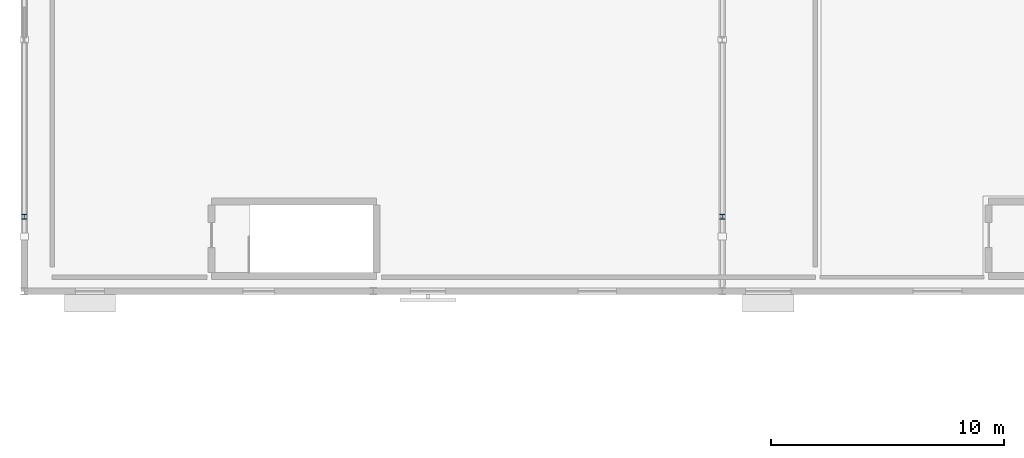
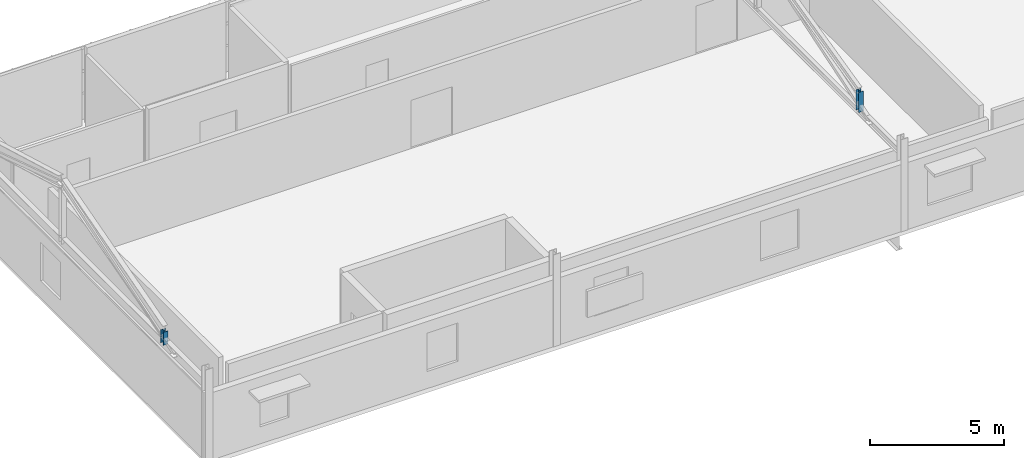
# One storey, part 39 of 90: 2 members.
"""IFC4 building model written with IfcOpenShell, lengths in metres."""

from ifc_helpers import new_model, si_unit, direction, frame, origin, origin_2d, place, context, subcontext, project, spatial, i_section, extrude, material, material_profile, profile_set, type_object, element, save


model = new_model("IFC4")

# Units and contexts
model_context = context("Model", 3, precision=1e-05, world=origin(), true_north=direction((0.0, 1.0)))
body_context = subcontext(model_context, "Body", "Model", "MODEL_VIEW")
ifc_project = project(units=[si_unit("LENGTHUNIT", "METRE"), si_unit("AREAUNIT", "SQUARE_METRE"), si_unit("VOLUMEUNIT", "CUBIC_METRE"), si_unit("PLANEANGLEUNIT", "RADIAN"), si_unit("MASSUNIT", "GRAM", prefix="KILO")], contexts=[model_context])

# Site, building, storey
site_placement = place(None, origin())
site = spatial("IfcSite", under=ifc_project, at=site_placement, CompositionType="ELEMENT")
building_placement = place(site_placement, origin())
building = spatial("IfcBuilding", under=site, at=building_placement, Name="Solanera Park Tramway Depot", CompositionType="ELEMENT")
storey_placement = place(building_placement, frame((0.0, 0.0, 9.0)))
storey = spatial("IfcBuildingStorey", under=building, at=storey_placement, Name="L02", CompositionType="ELEMENT", Elevation=9.0)

# Members
ifc_material = material(Name="Steel AS/NZS 3679.1 Grade 350", Category="steel")
ifc_material_profile = material_profile(ifc_material, i_section(OverallWidth=0.205078125, OverallDepth=0.209716796875, WebThickness=0.00927734375, FlangeThickness=0.01416015625, at=origin_2d()), Name="200UC59.5")
ifc_profile_set = profile_set([ifc_material_profile], Name="Steel AS/NZS 3679.1 Grade 350")
member_type = type_object("IfcMemberType", Name="Roof Gantry Compression Strut 200UC59.5", PredefinedType="STRUT", material=ifc_profile_set)
member_1_placement = place(storey_placement, frame((0.0, 14.0, 3.33837890625), z_axis=(0.0, 0.0, 1.0), x_axis=(1.0, 0.0, 0.0)))
element("IfcMember", 1, at=member_1_placement, inside=storey, type_object=member_type, Name="Hip ROOF TRUSS Heel Post #0101", PredefinedType="STRUT", context=body_context, shape_type="SweptSolid", body=[
    extrude(i_section(OverallWidth=0.205078125, OverallDepth=0.209716796875, WebThickness=0.00927734375, FlangeThickness=0.01416015625, at=origin_2d()), origin(), (0.0, 0.0, 1.0), 0.593017578125),
])
member_2_placement = place(storey_placement, frame((30.0, 14.0, 3.453125), z_axis=(0.0, 0.0, 1.0), x_axis=(1.0, 0.0, 0.0)))
element("IfcMember", 2, at=member_2_placement, inside=storey, type_object=member_type, Name="Hip ROOF TRUSS Heel Post #0104", PredefinedType="STRUT", context=body_context, shape_type="SweptSolid", body=[
    extrude(i_section(OverallWidth=0.205078125, OverallDepth=0.209716796875, WebThickness=0.00927734375, FlangeThickness=0.01416015625, at=origin_2d()), origin(), (0.0, 0.0, 1.0), 0.918701171875),
])

save(model, "model.ifc")
